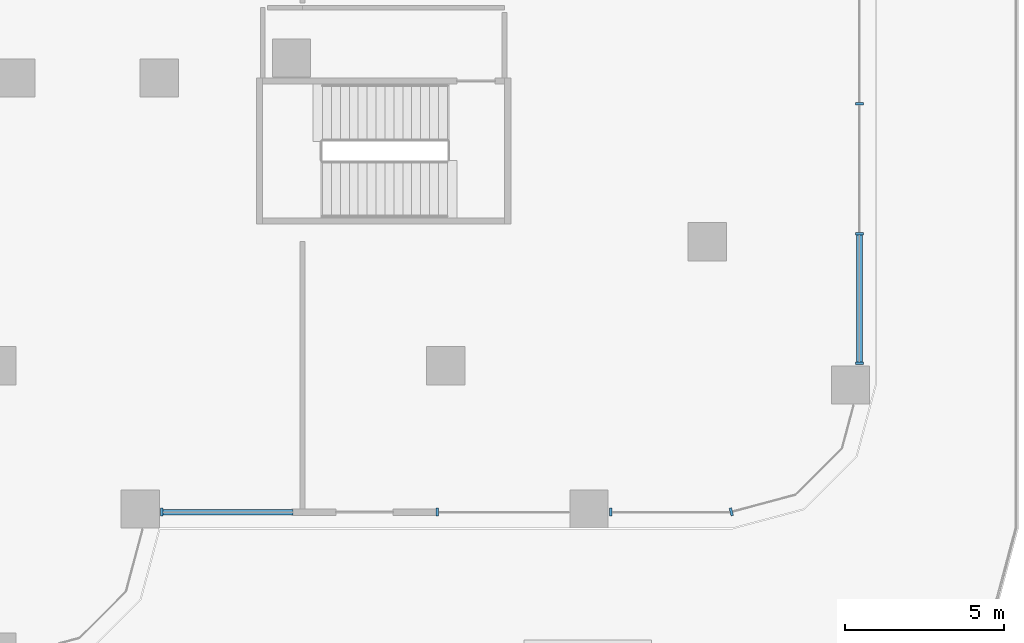
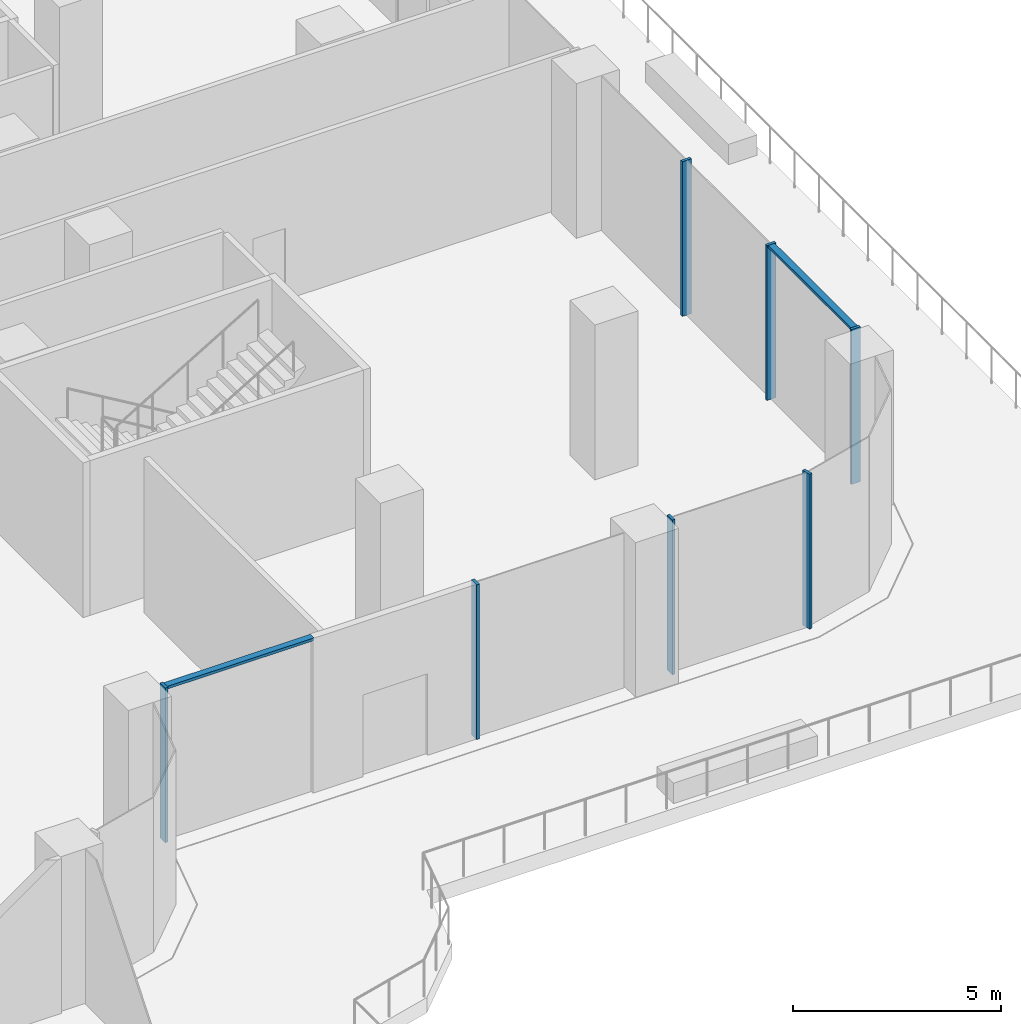
# One storey, part 5 of 29: 9 members, 3 elements without a shape of their own.
"""IFC4 building model written with IfcOpenShell, lengths in metres."""

import ifcopenshell
import ifcopenshell.guid

model = None  # the IFC model being written
_history = None  # IfcOwnerHistory: only IFC2X3 demands one
_inside = {}  # id of a spatial element -> (the spatial element, [elements in it])
_under = {}  # id of a project, library or spatial element -> (it, [spatial elements below it])
_declared = {}  # id of a project -> (the project, [libraries it declares])
_typed = {}  # id of a type object -> (the type object, [elements of that type])
_made_of = {}  # id of a material, layer set ... -> (it, [elements and type objects made of it])


def new_model(schema):
    """Start an empty IFC model of exactly this schema.

    Asked for "IFC4X3", IfcOpenShell would pick the latest addendum, in which some entities
    have other attributes; the version numbers below select the first issue.
    IFC2X3 requires an IfcOwnerHistory on every rooted entity: one is made here for all.
    """
    global model, _history
    if schema == "IFC4X3":
        model = ifcopenshell.file(schema_version=(4, 3, 0, 0))
    else:
        model = ifcopenshell.file(schema=schema)
    _inside.clear()
    _under.clear()
    _declared.clear()
    _typed.clear()
    _made_of.clear()
    _history = None
    if model.schema == "IFC2X3":
        org = make("IfcOrganization", Name="unknown")
        user = make(
            "IfcPersonAndOrganization",
            ThePerson=make("IfcPerson", FamilyName="unknown"),
            TheOrganization=org,
        )
        app = make(
            "IfcApplication",
            ApplicationDeveloper=org,
            Version="unknown",
            ApplicationFullName="unknown",
            ApplicationIdentifier="unknown",
        )
        _history = make(
            "IfcOwnerHistory",
            OwningUser=user,
            OwningApplication=app,
            ChangeAction="ADDED",
            CreationDate=0,
        )
    return model


def make(cls, **values):
    """One entity of the class cls with the attributes given. An attribute that is None is left unset."""
    return model.create_entity(
        cls, **{name: value for name, value in values.items() if value is not None}
    )


def rooted(cls, **values):
    """An entity with a GlobalId (a new one), such as an element, a storey or a relation."""
    return make(cls, GlobalId=ifcopenshell.guid.new(), OwnerHistory=_history, **values)


def si_unit(unit_type, name, prefix=None):
    """IfcSIUnit, for example si_unit("LENGTHUNIT", "METRE", prefix="MILLI")."""
    return make("IfcSIUnit", UnitType=unit_type, Prefix=prefix, Name=name)


def assignment(units):
    """IfcUnitAssignment: the units of a project."""
    return None if units is None else make("IfcUnitAssignment", Units=units)


def point(xyz):
    """IfcCartesianPoint."""
    return None if xyz is None else make("IfcCartesianPoint", Coordinates=xyz)


def direction(xyz):
    """IfcDirection."""
    return None if xyz is None else make("IfcDirection", DirectionRatios=xyz)


def frame(location, z_axis=None, x_axis=None):
    """IfcAxis2Placement3D, a coordinate frame: its origin and axes. An axis left out is left unset."""
    return make(
        "IfcAxis2Placement3D",
        Location=point(location),
        Axis=direction(z_axis),
        RefDirection=direction(x_axis),
    )


def origin():
    """The frame at (0, 0, 0) with its axes left unset."""
    return frame((0.0, 0.0, 0.0))


def place(relative_to, where):
    """IfcLocalPlacement: puts the frame where relative to a parent placement (None: the world)."""
    return make(
        "IfcLocalPlacement", PlacementRelTo=relative_to, RelativePlacement=where
    )


def context(
    kind, dimensions, precision=None, world=None, true_north=None, identifier=None
):
    """IfcGeometricRepresentationContext, for example the 3D "Model" context."""
    return make(
        "IfcGeometricRepresentationContext",
        ContextIdentifier=identifier,
        ContextType=kind,
        CoordinateSpaceDimension=dimensions,
        Precision=precision,
        WorldCoordinateSystem=world,
        TrueNorth=true_north,
    )


def subcontext(parent, identifier, kind, view, scale=None):
    """IfcGeometricRepresentationSubContext, for example "Body" below "Model"."""
    return make(
        "IfcGeometricRepresentationSubContext",
        ContextIdentifier=identifier,
        ContextType=kind,
        ParentContext=parent,
        TargetScale=scale,
        TargetView=view,
    )


def project(units=None, contexts=None):
    """IfcProject with its units and contexts."""
    return rooted(
        "IfcProject",
        Name="project",
        RepresentationContexts=contexts,
        UnitsInContext=assignment(units),
    )


def spatial(cls, under=None, at=None, **own):
    """A site, building, storey or space (cls), placed at a placement, below another one or the project."""
    s = rooted(cls, ObjectPlacement=at, **own)
    if under is not None:
        _under.setdefault(under.id(), (under, []))[1].append(s)
    return s


def polyline(points):
    """IfcPolyline through the points."""
    return make("IfcPolyline", Points=[point(p) for p in points])


def outline(outer, holes=None, kind="AREA"):
    """IfcArbitraryClosedProfileDef: a profile drawn as a closed curve; with holes, ...WithVoids."""
    if holes is None:
        return make("IfcArbitraryClosedProfileDef", ProfileType=kind, OuterCurve=outer)
    return make(
        "IfcArbitraryProfileDefWithVoids",
        ProfileType=kind,
        OuterCurve=outer,
        InnerCurves=holes,
    )


def extrude(swept, where, along, depth):
    """IfcExtrudedAreaSolid: the profile swept, set in the frame where, extruded along a direction by depth."""
    return make(
        "IfcExtrudedAreaSolid",
        SweptArea=swept,
        Position=where,
        ExtrudedDirection=direction(along),
        Depth=depth,
    )


def shape(context_of_items, identifier, shape_type, items):
    """IfcShapeRepresentation: the items that make up one representation, for example the "Body"."""
    return make(
        "IfcShapeRepresentation",
        ContextOfItems=context_of_items,
        RepresentationIdentifier=identifier,
        RepresentationType=shape_type,
        Items=items,
    )


def source(mapping_origin, context_of_items, identifier, shape_type, items):
    """IfcRepresentationMap: a shape defined once, which mapped items show again and again."""
    return make(
        "IfcRepresentationMap",
        MappingOrigin=mapping_origin,
        MappedRepresentation=shape(context_of_items, identifier, shape_type, items),
    )


def transform(
    local_origin,
    x_axis=None,
    y_axis=None,
    z_axis=None,
    scale=None,
    scale2=None,
    scale3=None,
    uniform=True,
):
    """IfcCartesianTransformationOperator3D, or its non-uniform kind. x_axis, y_axis, z_axis: its Axis1, 2, 3."""
    if uniform:
        return make(
            "IfcCartesianTransformationOperator3D",
            Axis1=direction(x_axis),
            Axis2=direction(y_axis),
            LocalOrigin=point(local_origin),
            Scale=scale,
            Axis3=direction(z_axis),
        )
    return make(
        "IfcCartesianTransformationOperator3DnonUniform",
        Axis1=direction(x_axis),
        Axis2=direction(y_axis),
        LocalOrigin=point(local_origin),
        Scale=scale,
        Axis3=direction(z_axis),
        Scale2=scale2,
        Scale3=scale3,
    )


def mapped(mapping_source, mapping_target):
    """IfcMappedItem: shows the shape of a source again, moved by a transform."""
    return make(
        "IfcMappedItem", MappingSource=mapping_source, MappingTarget=mapping_target
    )


def material(Name=None, Category=None):
    """IfcMaterial."""
    return make("IfcMaterial", Name=Name, Category=Category)


def made_of(thing, what):
    """Note that an element or type object is made of a material, layer set ...; save() writes the relation."""
    if what is not None:
        _made_of.setdefault(what.id(), (what, []))[1].append(thing)
    return thing


def type_object(cls, material=None, **own):
    """A type object (cls), such as IfcWallType, which elements share."""
    return made_of(rooted(cls, **own), material)


def element(
    cls,
    number,
    at=None,
    inside=None,
    cuts=None,
    type_object=None,
    material=None,
    context=None,
    identifier="Body",
    shape_type=None,
    held_by="IfcProductDefinitionShape",
    body=None,
    shapes=None,
    **own,
):
    """One element of the class cls, such as IfcWall. Its Tag is "e" and its number.

    at: its placement. inside: the storey or other place that contains it. cuts: it is an
    opening in that element (IfcRelVoidsElement). A single representation is given by context,
    identifier, shape_type and body (its items); several are given by shapes. held_by: the class
    of the entity that holds the representations. save() writes the other relations.
    """
    e = rooted(cls, Tag="e%d" % number, ObjectPlacement=at, **own)
    if body is not None:
        shapes = [shape(context, identifier, shape_type, body)]
    if shapes is not None:
        e.Representation = make(held_by, Representations=shapes)
    if inside is not None:
        _inside.setdefault(inside.id(), (inside, []))[1].append(e)
    if cuts is not None:
        rooted(
            "IfcRelVoidsElement", RelatingBuildingElement=cuts, RelatedOpeningElement=e
        )
    if type_object is not None:
        _typed.setdefault(type_object.id(), (type_object, []))[1].append(e)
    return made_of(e, material)


def aggregate(whole, parts):
    """IfcRelAggregates: a whole, such as a stair, and the parts it consists of."""
    return rooted("IfcRelAggregates", RelatingObject=whole, RelatedObjects=parts)


def save(model, path):
    """Write the relations noted so far, then the file.

    IfcRelAggregates (storeys below a building ...), IfcRelContainedInSpatialStructure (elements
    in a storey), IfcRelDefinesByType, IfcRelAssociatesMaterial and IfcRelDeclares: one each for
    every whole, place, type object, material and project.
    """
    for whole, parts in _under.values():
        aggregate(whole, parts)
    for where, things in _inside.values():
        rooted(
            "IfcRelContainedInSpatialStructure",
            RelatedElements=things,
            RelatingStructure=where,
        )
    for kind, things in _typed.values():
        rooted("IfcRelDefinesByType", RelatedObjects=things, RelatingType=kind)
    for what, things in _made_of.values():
        rooted("IfcRelAssociatesMaterial", RelatedObjects=things, RelatingMaterial=what)
    for by, libraries in _declared.values():
        rooted("IfcRelDeclares", RelatingContext=by, RelatedDefinitions=libraries)
    model.write(path)


model = new_model("IFC4")

# Units and contexts
model_context = context("Model", 3, precision=1e-05, world=origin(), true_north=direction((0.0, 1.0)))
body_context = subcontext(model_context, "Body", "Model", "MODEL_VIEW")
ifc_project = project(units=[si_unit("LENGTHUNIT", "METRE"), si_unit("AREAUNIT", "SQUARE_METRE"), si_unit("VOLUMEUNIT", "CUBIC_METRE"), si_unit("PLANEANGLEUNIT", "RADIAN"), si_unit("MASSUNIT", "GRAM", prefix="KILO")], contexts=[model_context])

# Site, building, storey
site_placement = place(None, origin())
site = spatial("IfcSite", under=ifc_project, at=site_placement, CompositionType="ELEMENT")
building_placement = place(site_placement, origin())
building = spatial("IfcBuilding", under=site, at=building_placement, Name="Zarbagh Exchange Tower", CompositionType="ELEMENT")
storey_placement = place(building_placement, frame((0.0, 0.0, 12.0)))
storey = spatial("IfcBuildingStorey", under=building, at=storey_placement, Name="L02", CompositionType="ELEMENT", Elevation=12.0)

# Curtain wall, members
ifc_material_1 = material(Name="Anodised aluminium frame and glazing", Category="aluminium")
curtain_wall_type = type_object("IfcCurtainWallType", Name="CWC Podium garden-wall glazing", PredefinedType="NOTDEFINED", material=ifc_material_1)
curtain_wall_1_placement = place(storey_placement, origin())
curtain_wall_1 = element("IfcCurtainWall", 1, at=curtain_wall_1_placement, inside=storey, type_object=curtain_wall_type, Name="CWC106 curtain wall", PredefinedType="NOTDEFINED")
ifc_material_2 = material(Name="Anodised aluminium frame", Category="aluminium")
member_type_1 = type_object("IfcMemberType", Name="MUC Mullion, anodised aluminium frame", PredefinedType="MULLION", material=ifc_material_2)
shared_shape_1 = source(origin(), body_context, "Body", "SweptSolid", [
    extrude(outline(polyline([(0.0, -0.125), (0.080078125, -0.125), (0.080078125, 0.125), (0.0, 0.125), (0.0, -0.125)])), origin(), (0.0, 0.0, 1.0), 4.550048828125),
])
placement = place(storey_placement, origin())
member_1 = element("IfcMember", 2, at=placement, type_object=member_type_1, Name="CWC106 mullion 1.1", PredefinedType="MULLION", context=body_context, shape_type="MappedRepresentation", body=[
    mapped(shared_shape_1, transform((24.7900390625, -19.75, 0.0), x_axis=(1.0, 0.0, 0.0), y_axis=(0.0, 1.0, 0.0), z_axis=(0.0, 0.0, 1.0))),
])
member_2 = element("IfcMember", 3, at=placement, type_object=member_type_1, Name="CWC106 mullion 2.1", PredefinedType="MULLION", context=body_context, shape_type="MappedRepresentation", body=[
    mapped(shared_shape_1, transform((33.449951171875, -19.75, 0.0), x_axis=(1.0, 0.0, 0.0), y_axis=(0.0, 1.0, 0.0), z_axis=(0.0, 0.0, 1.0))),
])
member_3 = element("IfcMember", 4, at=placement, type_object=member_type_1, Name="CWC106 mullion 3.1", PredefinedType="MULLION", context=body_context, shape_type="MappedRepresentation", body=[
    mapped(shared_shape_1, transform((38.89013671875, -19.75, 0.0), x_axis=(1.0, 0.0, 0.0), y_axis=(0.0, 1.0, 0.0), z_axis=(0.0, 0.0, 1.0))),
])

# Curtain wall, member
curtain_wall_2_placement = place(storey_placement, origin())
curtain_wall_2 = element("IfcCurtainWall", 5, at=curtain_wall_2_placement, inside=storey, type_object=curtain_wall_type, Name="CWC107 curtain wall", PredefinedType="NOTDEFINED")
member_4 = element("IfcMember", 6, at=placement, type_object=member_type_1, Name="CWC107 mullion 1.1", PredefinedType="MULLION", context=body_context, shape_type="MappedRepresentation", body=[
    mapped(shared_shape_1, transform((42.68408203125, -19.75, 0.0), x_axis=(0.965924289636, 0.258824779902, 0.0), y_axis=(-0.258824779902, 0.965924289636, 0.0), z_axis=(0.0, 0.0, 1.0))),
])
aggregate(curtain_wall_2, [member_4])

# Curtain wall, members
curtain_wall_3_placement = place(storey_placement, origin())
curtain_wall_3 = element("IfcCurtainWall", 7, at=curtain_wall_3_placement, inside=storey, type_object=curtain_wall_type, Name="CWC110 curtain wall", PredefinedType="NOTDEFINED")
member_5 = element("IfcMember", 8, at=placement, type_object=member_type_1, Name="CWC110 mullion 1.1", PredefinedType="MULLION", context=body_context, shape_type="MappedRepresentation", body=[
    mapped(shared_shape_1, transform((46.75, -15.10986328125, 0.0), x_axis=(0.0, 1.0, 0.0), y_axis=(-1.0, 0.0, 0.0), z_axis=(0.0, 0.0, 1.0))),
])
member_6 = element("IfcMember", 9, at=placement, type_object=member_type_1, Name="CWC110 mullion 1.2", PredefinedType="MULLION", context=body_context, shape_type="MappedRepresentation", body=[
    mapped(shared_shape_1, transform((46.75, -11.03662109375, 0.0), x_axis=(0.0, 1.0, 0.0), y_axis=(-1.0, 0.0, 0.0), z_axis=(0.0, 0.0, 1.0))),
])
member_7 = element("IfcMember", 10, at=placement, type_object=member_type_1, Name="CWC110 mullion 1.3", PredefinedType="MULLION", context=body_context, shape_type="MappedRepresentation", body=[
    mapped(shared_shape_1, transform((46.75, -6.96337890625, 0.0), x_axis=(0.0, 1.0, 0.0), y_axis=(-1.0, 0.0, 0.0), z_axis=(0.0, 0.0, 1.0))),
])
member_type_2 = type_object("IfcMemberType", Name="TRC Transom, anodised aluminium frame", PredefinedType="USERDEFINED", material=ifc_material_2)
shared_shape_2 = source(origin(), body_context, "Body", "SweptSolid", [
    extrude(outline(polyline([(-0.080078125, -0.090087890625), (0.0, -0.090087890625), (0.0, 0.090087890625), (-0.080078125, 0.090087890625), (-0.080078125, -0.090087890625)])), origin(), (0.0, 0.0, 1.0), 3.993408203125),
])
member_8 = element("IfcMember", 11, at=placement, type_object=member_type_2, Name="CWC110 transom 1.1", ObjectType="TRANSOM", PredefinedType="USERDEFINED", context=body_context, shape_type="MappedRepresentation", body=[
    mapped(shared_shape_2, transform((46.75, -15.030029296875, 4.550048828125), x_axis=(0.0, 0.0, 1.0), y_axis=(1.0, 0.0, 0.0), z_axis=(0.0, 1.0, 0.0))),
])
aggregate(curtain_wall_3, [member_5, member_8, member_6, member_7])

# Member
shared_shape_3 = source(origin(), body_context, "Body", "SweptSolid", [
    extrude(outline(polyline([(-0.080078125, -0.090087890625), (0.0, -0.090087890625), (0.0, 0.090087890625), (-0.080078125, 0.090087890625), (-0.080078125, -0.090087890625)])), origin(), (0.0, 0.0, 1.0), 4.080078125),
])
member_9 = element("IfcMember", 12, at=placement, type_object=member_type_2, Name="CWC106 transom 1.1", ObjectType="TRANSOM", PredefinedType="USERDEFINED", context=body_context, shape_type="MappedRepresentation", body=[
    mapped(shared_shape_3, transform((24.8701171875, -19.75, 4.550048828125), x_axis=(0.0, 0.0, 1.0), y_axis=(0.0, -1.0, 0.0), z_axis=(1.0, 0.0, 0.0))),
])

aggregate(curtain_wall_1, [member_1, member_9, member_2, member_3])

save(model, "model.ifc")
